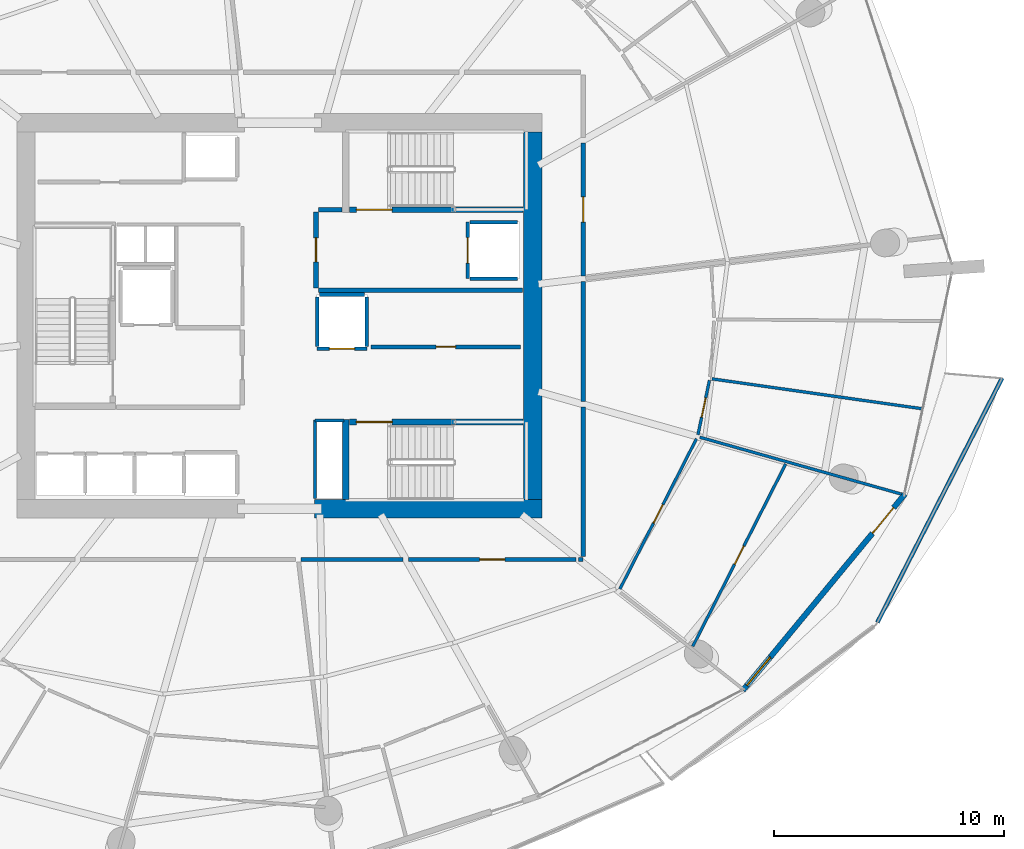
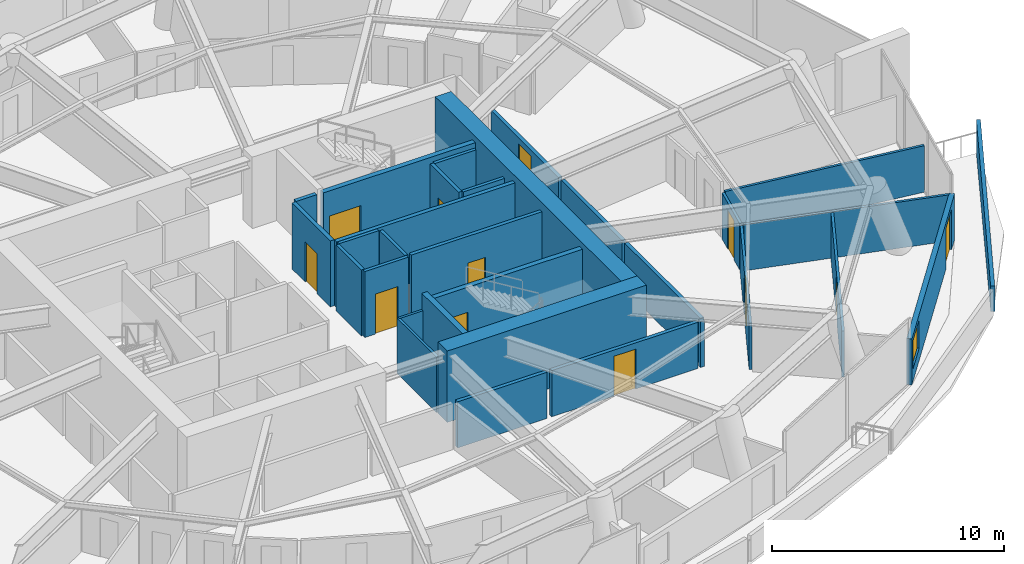
# One storey, part 13 of 23: 31 walls, 12 doors, 1 window, 13 openings.
"""IFC4 building model written with IfcOpenShell, lengths in metres."""

from ifc_helpers import new_model, si_unit, direction, frame, frame_2d, origin, place, context, subcontext, project, spatial, polyline, rectangle, outline, extrude, material, layer, layer_set, type_object, element, fill, save


model = new_model("IFC4")

# Units and contexts
model_context = context("Model", 3, precision=1e-05, world=origin(), true_north=direction((0.0, 1.0)))
body_context = subcontext(model_context, "Body", "Model", "MODEL_VIEW")
ifc_project = project(units=[si_unit("LENGTHUNIT", "METRE"), si_unit("AREAUNIT", "SQUARE_METRE"), si_unit("VOLUMEUNIT", "CUBIC_METRE"), si_unit("PLANEANGLEUNIT", "RADIAN"), si_unit("MASSUNIT", "GRAM", prefix="KILO")], contexts=[model_context])

# Site, building, storey
site_placement = place(None, origin())
site = spatial("IfcSite", under=ifc_project, at=site_placement, CompositionType="ELEMENT")
building_placement = place(site_placement, origin())
building = spatial("IfcBuilding", under=site, at=building_placement, Name="Kazma Halo Residences", CompositionType="ELEMENT")
storey_placement = place(building_placement, frame((0.0, 0.0, 112.64990234375)))
storey = spatial("IfcBuildingStorey", under=building, at=storey_placement, Name="L28", CompositionType="ELEMENT", Elevation=112.64990234375)

# Walls
ifc_material_1 = material(Name="White Concrete C50/60 Balustrade", Category="concrete")
ifc_layer_1 = layer(ifc_material_1, 0.179931640625)
ifc_layer_set_1 = layer_set([ifc_layer_1], Name="White Concrete C50/60 Balustrade")
wall_type_1 = type_object("IfcWallType", Name="WL-BAL-WAVE-180", PredefinedType="PARAPET", material=ifc_layer_set_1)
wall_1_placement = place(storey_placement, frame((74.44970703125, 28.657958984375, 0.0), z_axis=(0.0, 0.0, 1.0), x_axis=(0.454614998415, 0.890688050451, 0.0)))
element("IfcWall", 1, at=wall_1_placement, inside=storey, type_object=wall_type_1, Name="L28 white wave balustrade wall SE.2", PredefinedType="PARAPET", context=body_context, shape_type="SweptSolid", body=[
    extrude(outline(polyline([(0.0, 0.0), (11.9423828125, 0.0), (11.9423828125, 1.7470703125), (5.97119140625, 1.56201171875), (0.0, 1.34814453125), (0.0, 0.0)])), frame((0.0, 0.08984375, 0.0), z_axis=(0.0, -1.0, 0.0), x_axis=(1.0, 0.0, 0.0)), (0.0, 0.0, 1.0), 0.179931640625),
])
ifc_material_2 = material(Name="Concrete C80/95", Category="concrete")
ifc_layer_2 = layer(ifc_material_2, 0.800048828125)
ifc_layer_set_2 = layer_set([ifc_layer_2], Name="Concrete C80/95")
wall_type_2 = type_object("IfcWallType", Name="WL-CORE-800", PredefinedType="SHEAR", material=ifc_layer_set_2)
wall_2_placement = place(storey_placement, frame((49.949951171875, 33.60009765625, 0.0), z_axis=(0.0, 0.0, 1.0), x_axis=(1.0, 0.0, 0.0)))
element("IfcWall", 2, at=wall_2_placement, inside=storey, type_object=wall_type_2, Name="L28 central core shear wall SE", PredefinedType="SHEAR", context=body_context, shape_type="SweptSolid", body=[
    extrude(rectangle(XDim=9.900146484375, YDim=0.800048828125, at=frame_2d((4.9501953125, 0.0))), origin(), (0.0, 0.0, 1.0), 3.75),
])
wall_3_placement = place(storey_placement, frame((59.449951171875, 34.0, 0.0), z_axis=(0.0, 0.0, 1.0), x_axis=(0.0, 1.0, 0.0)))
element("IfcWall", 3, at=wall_3_placement, inside=storey, type_object=wall_type_2, Name="L28 central core shear wall E", PredefinedType="SHEAR", context=body_context, shape_type="SweptSolid", body=[
    extrude(rectangle(XDim=16.0, YDim=0.800048828125, at=frame_2d((8.0, 0.0))), origin(), (0.0, 0.0, 1.0), 3.75),
])
ifc_material_3 = material(Name="Concrete C60/75", Category="concrete")
ifc_layer_3 = layer(ifc_material_3, 0.280029296875)
ifc_layer_set_3 = layer_set([ifc_layer_3], Name="Concrete C60/75")
wall_type_3 = type_object("IfcWallType", Name="WL-CORE-ST-280", PredefinedType="SHEAR", material=ifc_layer_set_3)
wall_4_placement = place(storey_placement, frame((51.31005859375, 34.0, 0.0), z_axis=(0.0, 0.0, 1.0), x_axis=(0.0, 1.0, 0.0)))
element("IfcWall", 4, at=wall_4_placement, inside=storey, type_object=wall_type_3, Name="L28 stairwell bearing wall ST03-W", PredefinedType="SHEAR", context=body_context, shape_type="SweptSolid", body=[
    extrude(rectangle(XDim=3.5, YDim=0.280029296875, at=frame_2d((1.75, 0.0))), origin(), (0.0, 0.0, 1.0), 3.75),
])

# Wall, opening, door
ifc_material_4 = material(Name="Acoustic Twin-Stud Gypsum")
ifc_layer_4 = layer(ifc_material_4, 0.179931640625)
ifc_layer_set_4 = layer_set([ifc_layer_4], Name="Acoustic Twin-Stud Gypsum")
wall_type_4 = type_object("IfcWallType", Name="WL-DEM-180", PredefinedType="PARTITIONING", material=ifc_layer_set_4)
wall_5_placement = place(storey_placement, frame((54.056396484375, 31.39990234375, 0.0), z_axis=(0.0, 0.0, 1.0), x_axis=(1.0, 0.0, 0.0)))
wall_5 = element("IfcWall", 5, at=wall_5_placement, inside=storey, type_object=wall_type_4, Name="L28 Apartment 2 entrance corridor wall", PredefinedType="PARTITIONING", context=body_context, shape_type="SweptSolid", body=[
    extrude(rectangle(XDim=7.26953125, YDim=0.179931640625, at=frame_2d((3.634765625, 0.0))), origin(), (0.0, 0.0, 1.0), 2.427001953125),
])
opening_1_placement = place(wall_5_placement, frame((3.0849609375, 0.0, 0.0)))
opening_1 = element("IfcOpeningElement", 6, at=opening_1_placement, cuts=wall_5, Name="Opening DA-1100", PredefinedType="OPENING", context=body_context, shape_type="SweptSolid", body=[
    extrude(rectangle(XDim=1.10009765625, YDim=2.10009765625, at=frame_2d((0.550048828125, 1.050048828125))), frame((0.0, 0.099853515625, 0.0), z_axis=(0.0, -1.0, 0.0), x_axis=(1.0, 0.0, 0.0)), (0.0, 0.0, 1.0), 0.199951171875),
])
ifc_material_5 = material(Name="Acoustic Walnut Fire Leaf")
door_type_1 = type_object("IfcDoorType", Name="DR-FD60-1100", OperationType="NOTDEFINED", PredefinedType="DOOR", material=ifc_material_5)
door_1_placement = place(opening_1_placement, origin())
door_1 = element("IfcDoor", 7, at=door_1_placement, inside=storey, type_object=door_type_1, Name="L28 Apartment 2 entrance fire door", OperationType="SINGLE_SWING_LEFT", OverallHeight=2.10009765625, OverallWidth=1.10009765625, PredefinedType="DOOR", context=body_context, shape_type="SweptSolid", body=[
    extrude(rectangle(XDim=1.10009765625, YDim=2.10009765625, at=frame_2d((0.550048828125, 1.050048828125))), frame((0.0, 0.02490234375, 0.0), z_axis=(0.0, -1.0, 0.0), x_axis=(1.0, 0.0, 0.0)), (0.0, 0.0, 1.0), 0.050048828125),
])
fill(opening_1, door_1)

# Walls
wall_6_placement = place(storey_placement, frame((49.37451171875, 31.39990234375, 0.0), z_axis=(0.0, 0.0, 1.0), x_axis=(1.0, 0.0, 0.0)))
element("IfcWall", 8, at=wall_6_placement, inside=storey, type_object=wall_type_4, Name="L28 Apartment 2 inner wall 11", PredefinedType="PARTITIONING", context=body_context, shape_type="SweptSolid", body=[
    extrude(rectangle(XDim=4.44189453125, YDim=0.179931640625, at=frame_2d((2.220947265625, 0.0))), origin(), (0.0, 0.0, 1.0), 2.427001953125),
])
wall_7_placement = place(storey_placement, frame((61.446044921875, 31.39990234375, 0.0), z_axis=(0.0, 0.0, 1.0), x_axis=(1.0, 0.0, 0.0)))
element("IfcWall", 9, at=wall_7_placement, inside=storey, type_object=wall_type_4, Name="L28 Apartment 2 inner wall 13", PredefinedType="PARTITIONING", context=body_context, shape_type="SweptSolid", body=[
    extrude(rectangle(XDim=0.203857421875, YDim=0.179931640625, at=frame_2d((0.10205078125, 0.0))), origin(), (0.0, 0.0, 1.0), 2.427001953125),
])
wall_8_placement = place(storey_placement, frame((61.64990234375, 31.52001953125, 0.0), z_axis=(0.0, 0.0, 1.0), x_axis=(0.0, 1.0, 0.0)))
element("IfcWall", 10, at=wall_8_placement, inside=storey, type_object=wall_type_4, Name="L28 Apartment 2 inner wall 13", PredefinedType="PARTITIONING", context=body_context, shape_type="SweptSolid", body=[
    extrude(rectangle(XDim=6.51025390625, YDim=0.179931640625, at=frame_2d((3.255126953125, 0.0))), origin(), (0.0, 0.0, 1.0), 2.427001953125),
])
wall_9_placement = place(storey_placement, frame((61.64990234375, 38.270263671875, 0.0), z_axis=(0.0, 0.0, 1.0), x_axis=(0.0, 1.0, 0.0)))
element("IfcWall", 11, at=wall_9_placement, inside=storey, type_object=wall_type_4, Name="L28 Apartment 2 inner wall 14", PredefinedType="PARTITIONING", context=body_context, shape_type="SweptSolid", body=[
    extrude(rectangle(XDim=5.225341796875, YDim=0.179931640625, at=frame_2d((2.61279296875, 0.0))), origin(), (0.0, 0.0, 1.0), 2.427001953125),
])

# Wall, opening, door
wall_10_placement = place(storey_placement, frame((61.64990234375, 43.735595703125, 0.0), z_axis=(0.0, 0.0, 1.0), x_axis=(0.0, 1.0, 0.0)))
wall_10 = element("IfcWall", 12, at=wall_10_placement, inside=storey, type_object=wall_type_4, Name="L28 Apartment 3 entrance corridor wall", PredefinedType="PARTITIONING", context=body_context, shape_type="SweptSolid", body=[
    extrude(rectangle(XDim=5.788818359375, YDim=0.179931640625, at=frame_2d((2.89453125, 0.0))), origin(), (0.0, 0.0, 1.0), 2.427001953125),
])
opening_2_placement = place(wall_10_placement, frame((2.344482421875, 0.0, 0.0)))
opening_2 = element("IfcOpeningElement", 13, at=opening_2_placement, cuts=wall_10, Name="Opening DA-1100", PredefinedType="OPENING", context=body_context, shape_type="SweptSolid", body=[
    extrude(rectangle(XDim=1.10009765625, YDim=2.10009765625, at=frame_2d((0.550048828125, 1.050048828125))), frame((0.0, 0.099853515625, 0.0), z_axis=(0.0, -1.0, 0.0), x_axis=(1.0, 0.0, 0.0)), (0.0, 0.0, 1.0), 0.199951171875),
])
door_2_placement = place(opening_2_placement, origin())
door_2 = element("IfcDoor", 14, at=door_2_placement, inside=storey, type_object=door_type_1, Name="L28 Apartment 3 entrance fire door", OperationType="SINGLE_SWING_RIGHT", OverallHeight=2.10009765625, OverallWidth=1.10009765625, PredefinedType="DOOR", context=body_context, shape_type="SweptSolid", body=[
    extrude(rectangle(XDim=1.10009765625, YDim=2.10009765625, at=frame_2d((0.550048828125, 1.050048828125))), frame((0.0, 0.02490234375, 0.0), z_axis=(0.0, -1.0, 0.0), x_axis=(1.0, 0.0, 0.0)), (0.0, 0.0, 1.0), 0.050048828125),
])
fill(opening_2, door_2)

# Wall, openings, door, window
ifc_material_6 = material(Name="Insulated Pale-Metal Composite Wall")
ifc_layer_5 = layer(ifc_material_6, 0.239990234375)
ifc_layer_set_5 = layer_set([ifc_layer_5], Name="Insulated Pale-Metal Composite Wall")
wall_type_5 = type_object("IfcWallType", Name="WL-EXT-HOST-240", PredefinedType="SOLIDWALL", material=ifc_layer_set_5)
wall_11_placement = place(storey_placement, frame((68.593017578125, 25.7021484375, 0.0), z_axis=(0.0, 0.0, 1.0), x_axis=(0.636704975, 0.771107498868, 0.0)))
wall_11 = element("IfcWall", 15, at=wall_11_placement, inside=storey, type_object=wall_type_5, Name="L28 exterior terrace-access wall B14", PredefinedType="SOLIDWALL", context=body_context, shape_type="SweptSolid", body=[
    extrude(rectangle(XDim=11.084228515625, YDim=0.239990234375, at=frame_2d((5.5419921875, 0.0))), origin(), (0.0, 0.0, 1.0), 2.420166015625),
])
opening_3_placement = place(wall_11_placement, frame((8.8642578125, 0.0, 0.0)))
opening_3 = element("IfcOpeningElement", 16, at=opening_3_placement, cuts=wall_11, Name="Opening DTR-1600", PredefinedType="OPENING", context=body_context, shape_type="SweptSolid", body=[
    extrude(rectangle(XDim=1.449951171875, YDim=2.14990234375, at=frame_2d((0.72509765625, 1.074951171875))), frame((0.0, 0.1298828125, 0.0), z_axis=(0.0, -1.0, 0.0), x_axis=(1.0, 0.0, 0.0)), (0.0, 0.0, 1.0), 0.260009765625),
])
opening_4_placement = place(wall_11_placement, frame((0.280029296875, 0.0, 0.64990234375)))
opening_4 = element("IfcOpeningElement", 17, at=opening_4_placement, cuts=wall_11, Name="Opening W-1800", PredefinedType="OPENING", context=body_context, shape_type="SweptSolid", body=[
    extrude(rectangle(XDim=1.60009765625, YDim=1.5, at=frame_2d((0.800048828125, 0.75))), frame((0.0, 0.1298828125, 0.0), z_axis=(0.0, -1.0, 0.0), x_axis=(1.0, 0.0, 0.0)), (0.0, 0.0, 1.0), 0.260009765625),
])
ifc_material_7 = material(Name="Aluminium AW-6063 T6 Double-Glazed Terrace Door", Category="aluminium")
door_type_2 = type_object("IfcDoorType", Name="DR-EXT-TERR-1600", OperationType="NOTDEFINED", PredefinedType="DOOR", material=ifc_material_7)
door_3_placement = place(opening_3_placement, origin())
door_3 = element("IfcDoor", 18, at=door_3_placement, inside=storey, type_object=door_type_2, Name="L28 B14 balcony terrace door", OperationType="DOUBLE_DOOR_SLIDING", OverallHeight=2.14990234375, OverallWidth=1.449951171875, PredefinedType="DOOR", context=body_context, shape_type="SweptSolid", body=[
    extrude(rectangle(XDim=1.449951171875, YDim=2.14990234375, at=frame_2d((0.72509765625, 1.074951171875))), frame((0.0, 0.02490234375, 0.0), z_axis=(0.0, -1.0, 0.0), x_axis=(1.0, 0.0, 0.0)), (0.0, 0.0, 1.0), 0.050048828125),
])
fill(opening_3, door_3)
ifc_material_8 = material(Name="Clear Triple-Silver Low-E Glass in Aluminium AW-6063 T6 Frame", Category="aluminium")
window_type = type_object("IfcWindowType", Name="WIN-RES-1800", PartitioningType="DOUBLE_PANEL_VERTICAL", PredefinedType="WINDOW", material=ifc_material_8)
window_placement = place(opening_4_placement, origin())
window = element("IfcWindow", 19, at=window_placement, inside=storey, type_object=window_type, Name="L28 B14 apartment window", OverallHeight=1.5, OverallWidth=1.60009765625, PartitioningType="SINGLE_PANEL", PredefinedType="WINDOW", context=body_context, shape_type="SweptSolid", body=[
    extrude(rectangle(XDim=1.60009765625, YDim=1.5, at=frame_2d((0.800048828125, 0.75))), frame((0.0, 0.030029296875, 0.0), z_axis=(0.0, -1.0, 0.0), x_axis=(1.0, 0.0, 0.0)), (0.0, 0.0, 1.0), 0.06005859375),
])
fill(opening_4, window)

# Wall, opening, door
ifc_material_9 = material(Name="Fire-Rated Blockwork Masonry", Category="masonry")
ifc_layer_6 = layer(ifc_material_9, 0.199951171875)
ifc_layer_set_6 = layer_set([ifc_layer_6], Name="Fire-Rated Blockwork Masonry")
wall_type_6 = type_object("IfcWallType", Name="WL-FLB-200", PredefinedType="PARTITIONING", material=ifc_layer_set_6)
wall_12_placement = place(storey_placement, frame((56.6201171875, 46.080078125, 0.0), z_axis=(0.0, 0.0, 1.0), x_axis=(0.0, -1.0, 0.0)))
wall_12 = element("IfcWall", 20, at=wall_12_placement, inside=storey, type_object=wall_type_6, Name="L28 lift shaft FL-02 front wall", PredefinedType="PARTITIONING", context=body_context, shape_type="SweptSolid", body=[
    extrude(rectangle(XDim=2.4599609375, YDim=0.159912109375, at=frame_2d((1.22998046875, 0.0))), origin(), (0.0, 0.0, 1.0), 3.47021484375),
])
opening_5_placement = place(wall_12_placement, frame((0.679931640625, 0.0, 0.0)))
opening_5 = element("IfcOpeningElement", 21, at=opening_5_placement, cuts=wall_12, Name="Opening LD-FL-02", PredefinedType="OPENING", context=body_context, shape_type="SweptSolid", body=[
    extrude(rectangle(XDim=1.10009765625, YDim=2.10009765625, at=frame_2d((0.550048828125, 1.050048828125))), frame((0.0, 0.08984375, 0.0), z_axis=(0.0, -1.0, 0.0), x_axis=(1.0, 0.0, 0.0)), (0.0, 0.0, 1.0), 0.179931640625),
])
ifc_material_10 = material(Name="Stainless Steel Fire-Rated", Category="steel")
door_type_3 = type_object("IfcDoorType", Name="DR-LIFT-SLD-1100", OperationType="DOUBLE_DOOR_SLIDING", PredefinedType="DOOR", material=ifc_material_10)
door_4_placement = place(opening_5_placement, origin())
door_4 = element("IfcDoor", 22, at=door_4_placement, inside=storey, type_object=door_type_3, Name="L28 lift FL-02 sliding landing door", OperationType="DOUBLE_DOOR_SLIDING", OverallHeight=2.10009765625, OverallWidth=1.10009765625, PredefinedType="DOOR", context=body_context, shape_type="SweptSolid", body=[
    extrude(rectangle(XDim=1.10009765625, YDim=2.10009765625, at=frame_2d((0.550048828125, 1.050048828125))), frame((0.0, 0.02490234375, 0.0), z_axis=(0.0, -1.0, 0.0), x_axis=(1.0, 0.0, 0.0)), (0.0, 0.0, 1.0), 0.050048828125),
])
fill(opening_5, door_4)

# Walls
for number, where, z_axis, x_axis, name in (
    (23, (56.719970703125, 46.080078125, 0.0), (0.0, 0.0, 1.0), (1.0, 0.0, 0.0), "L28 lift shaft FL-02 side wall N"),
    (24, (56.719970703125, 43.6201171875, 0.0), (0.0, 0.0, 1.0), (1.0, 0.0, 0.0), "L28 lift shaft FL-02 side wall S"),
):
    element("IfcWall", number, at=place(storey_placement, frame(where, z_axis=z_axis, x_axis=x_axis)), inside=storey, type_object=wall_type_6, Name=name, PredefinedType="PARTITIONING", context=body_context, shape_type="SweptSolid", body=[
        extrude(rectangle(XDim=2.06005859375, YDim=0.159912109375, at=frame_2d((1.030029296875, 0.0))), origin(), (0.0, 0.0, 1.0), 3.47021484375),
    ])

# Wall, opening, door
wall_13_placement = place(storey_placement, frame((52.22998046875, 40.570068359375, 0.0), z_axis=(0.0, 0.0, 1.0), x_axis=(-1.0, 0.0, 0.0)))
wall_13 = element("IfcWall", 25, at=wall_13_placement, inside=storey, type_object=wall_type_6, Name="L28 lift shaft SV-01 front wall", PredefinedType="PARTITIONING", context=body_context, shape_type="SweptSolid", body=[
    extrude(rectangle(XDim=2.159912109375, YDim=0.159912109375, at=frame_2d((1.080078125, 0.0))), origin(), (0.0, 0.0, 1.0), 3.47021484375),
])
opening_6_placement = place(wall_13_placement, frame((0.530029296875, 0.0, 0.0)))
opening_6 = element("IfcOpeningElement", 26, at=opening_6_placement, cuts=wall_13, Name="Opening LD-SV-01", PredefinedType="OPENING", context=body_context, shape_type="SweptSolid", body=[
    extrude(rectangle(XDim=1.10009765625, YDim=2.10009765625, at=frame_2d((0.550048828125, 1.050048828125))), frame((0.0, 0.08984375, 0.0), z_axis=(0.0, -1.0, 0.0), x_axis=(1.0, 0.0, 0.0)), (0.0, 0.0, 1.0), 0.179931640625),
])
door_5_placement = place(opening_6_placement, origin())
door_5 = element("IfcDoor", 27, at=door_5_placement, inside=storey, type_object=door_type_3, Name="L28 lift SV-01 sliding landing door", OperationType="DOUBLE_DOOR_SLIDING", OverallHeight=2.10009765625, OverallWidth=1.10009765625, PredefinedType="DOOR", context=body_context, shape_type="SweptSolid", body=[
    extrude(rectangle(XDim=1.10009765625, YDim=2.10009765625, at=frame_2d((0.550048828125, 1.050048828125))), frame((0.0, 0.02490234375, 0.0), z_axis=(0.0, -1.0, 0.0), x_axis=(1.0, 0.0, 0.0)), (0.0, 0.0, 1.0), 0.050048828125),
])
fill(opening_6, door_5)

# Walls
for number, where, z_axis, x_axis, name in (
    (28, (52.22998046875, 40.669921875, 0.0), (0.0, 0.0, 1.0), (0.0, 1.0, 0.0), "L28 lift shaft SV-01 side wall E"),
    (29, (50.070068359375, 40.669921875, 0.0), (0.0, 0.0, 1.0), (0.0, 1.0, 0.0), "L28 lift shaft SV-01 side wall W"),
):
    element("IfcWall", number, at=place(storey_placement, frame(where, z_axis=z_axis, x_axis=x_axis)), inside=storey, type_object=wall_type_6, Name=name, PredefinedType="PARTITIONING", context=body_context, shape_type="SweptSolid", body=[
        extrude(rectangle(XDim=2.16015625, YDim=0.159912109375, at=frame_2d((1.080078125, 0.0))), origin(), (0.0, 0.0, 1.0), 3.47021484375),
    ])
wall_14_placement = place(storey_placement, frame((50.169921875, 42.929931640625, 0.0), z_axis=(0.0, 0.0, 1.0), x_axis=(1.0, 0.0, 0.0)))
element("IfcWall", 30, at=wall_14_placement, inside=storey, type_object=wall_type_6, Name="L28 lift shaft SV-01 side wall N", PredefinedType="PARTITIONING", context=body_context, shape_type="SweptSolid", body=[
    extrude(rectangle(XDim=1.9599609375, YDim=0.159912109375, at=frame_2d((0.97998046875, 0.0))), origin(), (0.0, 0.0, 1.0), 3.47021484375),
])

# Wall, opening, door
wall_15_placement = place(storey_placement, frame((52.419921875, 40.64990234375, 0.0), z_axis=(0.0, 0.0, 1.0), x_axis=(1.0, 0.0, 0.0)))
wall_15 = element("IfcWall", 31, at=wall_15_placement, inside=storey, type_object=wall_type_6, Name="L28 core east reserve wall", PredefinedType="PARTITIONING", context=body_context, shape_type="SweptSolid", body=[
    extrude(rectangle(XDim=6.5, YDim=0.179931640625, at=frame_2d((3.25, 0.0))), origin(), (0.0, 0.0, 1.0), 3.47021484375),
])
opening_7_placement = place(wall_15_placement, frame((2.824951171875, 0.0, 0.0)))
opening_7 = element("IfcOpeningElement", 32, at=opening_7_placement, cuts=wall_15, Name="Opening DS-850", PredefinedType="OPENING", context=body_context, shape_type="SweptSolid", body=[
    extrude(rectangle(XDim=0.85009765625, YDim=2.06005859375, at=frame_2d((0.425048828125, 1.030029296875))), frame((0.0, 0.099853515625, 0.0), z_axis=(0.0, -1.0, 0.0), x_axis=(1.0, 0.0, 0.0)), (0.0, 0.0, 1.0), 0.199951171875),
])
ifc_material_11 = material(Name="Painted Steel Access Leaf", Category="steel")
door_type_4 = type_object("IfcDoorType", Name="DR-SVC-850", OperationType="NOTDEFINED", PredefinedType="DOOR", material=ifc_material_11)
door_6_placement = place(opening_7_placement, origin())
door_6 = element("IfcDoor", 33, at=door_6_placement, inside=storey, type_object=door_type_4, Name="L28 core east reserve door", OperationType="SINGLE_SWING_LEFT", OverallHeight=2.06005859375, OverallWidth=0.85009765625, PredefinedType="DOOR", context=body_context, shape_type="SweptSolid", body=[
    extrude(rectangle(XDim=0.85009765625, YDim=2.06005859375, at=frame_2d((0.425048828125, 1.030029296875))), frame((0.0, 0.02490234375, 0.0), z_axis=(0.0, -1.0, 0.0), x_axis=(1.0, 0.0, 0.0)), (0.0, 0.0, 1.0), 0.050048828125),
])
fill(opening_7, door_6)

# Walls
wall_16_placement = place(storey_placement, frame((50.1201171875, 43.1201171875, 0.0), z_axis=(0.0, 0.0, 1.0), x_axis=(1.0, 0.0, 0.0)))
element("IfcWall", 34, at=wall_16_placement, inside=storey, type_object=wall_type_6, Name="L28 east firefighting lobby south smoke wall", PredefinedType="PARTITIONING", context=body_context, shape_type="SweptSolid", body=[
    extrude(rectangle(XDim=8.8798828125, YDim=0.199951171875, at=frame_2d((4.43994140625, 0.0))), origin(), (0.0, 0.0, 1.0), 3.47021484375),
])
wall_17_placement = place(storey_placement, frame((50.139892578125, 46.6201171875, 0.0), z_axis=(0.0, 0.0, 1.0), x_axis=(1.0, 0.0, 0.0)))
element("IfcWall", 35, at=wall_17_placement, inside=storey, type_object=wall_type_6, Name="L28 east firefighting lobby north closure wall", PredefinedType="PARTITIONING", context=body_context, shape_type="SweptSolid", body=[
    extrude(rectangle(XDim=1.02001953125, YDim=0.199951171875, at=frame_2d((0.510009765625, 0.0))), origin(), (0.0, 0.0, 1.0), 3.47021484375),
])

# Wall, opening, door
wall_18_placement = place(storey_placement, frame((50.02001953125, 43.219970703125, 0.0), z_axis=(0.0, 0.0, 1.0), x_axis=(0.0, 1.0, 0.0)))
wall_18 = element("IfcWall", 36, at=wall_18_placement, inside=storey, type_object=wall_type_6, Name="L28 east firefighting lobby smoke wall", PredefinedType="PARTITIONING", context=body_context, shape_type="SweptSolid", body=[
    extrude(rectangle(XDim=3.300048828125, YDim=0.199951171875, at=frame_2d((1.64990234375, 0.0))), origin(), (0.0, 0.0, 1.0), 3.47021484375),
])
opening_8_placement = place(wall_18_placement, frame((1.125, 0.0, 0.0)))
opening_8 = element("IfcOpeningElement", 37, at=opening_8_placement, cuts=wall_18, Name="Opening D-FLE", PredefinedType="OPENING", context=body_context, shape_type="SweptSolid", body=[
    extrude(rectangle(XDim=1.050048828125, YDim=2.10009765625, at=frame_2d((0.52490234375, 1.050048828125))), frame((0.0, 0.10986328125, 0.0), z_axis=(0.0, -1.0, 0.0), x_axis=(1.0, 0.0, 0.0)), (0.0, 0.0, 1.0), 0.219970703125),
])
ifc_material_12 = material(Name="Fire-Rated Steel Leaf", Category="steel")
door_type_5 = type_object("IfcDoorType", Name="DR-FD90-1050", OperationType="NOTDEFINED", PredefinedType="DOOR", material=ifc_material_12)
door_7_placement = place(opening_8_placement, origin())
door_7 = element("IfcDoor", 38, at=door_7_placement, inside=storey, type_object=door_type_5, Name="L28 east firefighting lobby smoke door", OperationType="SINGLE_SWING_RIGHT", OverallHeight=2.10009765625, OverallWidth=1.050048828125, PredefinedType="DOOR", context=body_context, shape_type="SweptSolid", body=[
    extrude(rectangle(XDim=1.050048828125, YDim=2.10009765625, at=frame_2d((0.52490234375, 1.050048828125))), frame((0.0, 0.02490234375, 0.0), z_axis=(0.0, -1.0, 0.0), x_axis=(1.0, 0.0, 0.0)), (0.0, 0.0, 1.0), 0.050048828125),
])
fill(opening_8, door_7)

# Walls
ifc_material_13 = material(Name="Gypsum Plasterboard Partition")
ifc_layer_7 = layer(ifc_material_13, 0.125)
ifc_layer_set_7 = layer_set([ifc_layer_7], Name="Gypsum Plasterboard Partition")
wall_type_7 = type_object("IfcWallType", Name="WL-PART-125", PredefinedType="PARTITIONING", material=ifc_layer_set_7)
wall_19_placement = place(storey_placement, frame((49.97998046875, 34.06005859375, 0.0), z_axis=(0.0, 0.0, 1.0), x_axis=(0.0, 1.0, 0.0)))
element("IfcWall", 39, at=wall_19_placement, inside=storey, type_object=wall_type_7, Name="L28 standpipe riser wall", PredefinedType="PARTITIONING", context=body_context, shape_type="SweptSolid", body=[
    extrude(rectangle(XDim=3.39990234375, YDim=0.125, at=frame_2d((1.699951171875, 0.0))), origin(), (0.0, 0.0, 1.0), 2.91015625),
])
wall_20_placement = place(storey_placement, frame((49.97998046875, 37.43994140625, 0.0), z_axis=(0.0, 0.0, 1.0), x_axis=(1.0, 0.0, 0.0)))
element("IfcWall", 40, at=wall_20_placement, inside=storey, type_object=wall_type_7, Name="L28 standpipe riser north wall", PredefinedType="PARTITIONING", context=body_context, shape_type="SweptSolid", body=[
    extrude(rectangle(XDim=1.260009765625, YDim=0.125, at=frame_2d((0.6298828125, 0.0))), origin(), (0.0, 0.0, 1.0), 2.91015625),
])

# Wall, opening, door
wall_21_placement = place(storey_placement, frame((63.247314453125, 30.1171875, 0.0), z_axis=(0.0, 0.0, 1.0), x_axis=(0.453981156247, 0.891011284874, 0.0)))
wall_21 = element("IfcWall", 41, at=wall_21_placement, inside=storey, type_object=wall_type_7, Name="L28 Apartment 2 East Study hall wall", PredefinedType="PARTITIONING", context=body_context, shape_type="SweptSolid", body=[
    extrude(rectangle(XDim=7.3310546875, YDim=0.125, at=frame_2d((3.66552734375, 0.0))), origin(), (0.0, 0.0, 1.0), 2.427001953125),
])
opening_9_placement = place(wall_21_placement, frame((3.21533203125, 0.0, 0.0)))
opening_9 = element("IfcOpeningElement", 42, at=opening_9_placement, cuts=wall_21, Name="Opening DI-950", PredefinedType="OPENING", context=body_context, shape_type="SweptSolid", body=[
    extrude(rectangle(XDim=0.89990234375, YDim=2.080078125, at=frame_2d((0.449951171875, 1.0400390625))), frame((0.0, 0.072509765625, 0.0), z_axis=(0.0, -1.0, 0.0), x_axis=(1.0, 0.0, 0.0)), (0.0, 0.0, 1.0), 0.14501953125),
])
ifc_material_14 = material(Name="Timber Veneer Flush Leaf", Category="wood")
door_type_6 = type_object("IfcDoorType", Name="DR-INT-950", OperationType="NOTDEFINED", PredefinedType="DOOR", material=ifc_material_14)
door_8_placement = place(opening_9_placement, origin())
door_8 = element("IfcDoor", 43, at=door_8_placement, inside=storey, type_object=door_type_6, Name="L28 Apartment 2 East Study door", OperationType="SINGLE_SWING_RIGHT", OverallHeight=2.080078125, OverallWidth=0.89990234375, PredefinedType="DOOR", context=body_context, shape_type="SweptSolid", body=[
    extrude(rectangle(XDim=0.89990234375, YDim=2.080078125, at=frame_2d((0.449951171875, 1.0400390625))), frame((0.0, 0.02490234375, 0.0), z_axis=(0.0, -1.0, 0.0), x_axis=(1.0, 0.0, 0.0)), (0.0, 0.0, 1.0), 0.050048828125),
])
fill(opening_9, door_8)

wall_22_placement = place(storey_placement, frame((66.416015625, 27.619140625, 0.0), z_axis=(0.0, 0.0, 1.0), x_axis=(0.453999703912, 0.891001834368, 0.0)))
wall_22 = element("IfcWall", 44, at=wall_22_placement, inside=storey, type_object=wall_type_7, Name="L28 Apartment 2 West Master Bedroom divider wall", PredefinedType="PARTITIONING", context=body_context, shape_type="SweptSolid", body=[
    extrude(rectangle(XDim=8.9052734375, YDim=0.125, at=frame_2d((4.45263671875, 0.0))), origin(), (0.0, 0.0, 1.0), 2.427001953125),
])
opening_10_placement = place(wall_22_placement, frame((4.002685546875, 0.0, 0.0)))
opening_10 = element("IfcOpeningElement", 45, at=opening_10_placement, cuts=wall_22, Name="Opening DI-950", PredefinedType="OPENING", context=body_context, shape_type="SweptSolid", body=[
    extrude(rectangle(XDim=0.89990234375, YDim=2.080078125, at=frame_2d((0.449951171875, 1.0400390625))), frame((0.0, 0.072509765625, 0.0), z_axis=(0.0, -1.0, 0.0), x_axis=(1.0, 0.0, 0.0)), (0.0, 0.0, 1.0), 0.14501953125),
])
door_9_placement = place(opening_10_placement, origin())
door_9 = element("IfcDoor", 46, at=door_9_placement, inside=storey, type_object=door_type_6, Name="L28 Apartment 2 West Master Bedroom door", OperationType="SINGLE_SWING_LEFT", OverallHeight=2.080078125, OverallWidth=0.89990234375, PredefinedType="DOOR", context=body_context, shape_type="SweptSolid", body=[
    extrude(rectangle(XDim=0.89990234375, YDim=2.080078125, at=frame_2d((0.449951171875, 1.0400390625))), frame((0.0, 0.02490234375, 0.0), z_axis=(0.0, -1.0, 0.0), x_axis=(1.0, 0.0, 0.0)), (0.0, 0.0, 1.0), 0.050048828125),
])
fill(opening_10, door_9)

# Walls
wall_23_placement = place(storey_placement, frame((66.7216796875, 36.719970703125, 0.0), z_axis=(0.0, 0.0, 1.0), x_axis=(0.962452904299, -0.271448718926, 0.0)))
element("IfcWall", 47, at=wall_23_placement, inside=storey, type_object=wall_type_7, Name="L28 Apartment 2 radial partition 14", PredefinedType="PARTITIONING", context=body_context, shape_type="SweptSolid", body=[
    extrude(rectangle(XDim=9.118896484375, YDim=0.125, at=frame_2d((4.5595703125, 0.0))), origin(), (0.0, 0.0, 1.0), 2.427001953125),
])
wall_24_placement = place(storey_placement, frame((67.248046875, 39.260498046875, 0.0), z_axis=(0.0, 0.0, 1.0), x_axis=(0.990024386201, -0.140896113244, 0.0)))
element("IfcWall", 48, at=wall_24_placement, inside=storey, type_object=wall_type_7, Name="L28 Apartment 2 bay wall 1 14", PredefinedType="PARTITIONING", context=body_context, shape_type="SweptSolid", body=[
    extrude(rectangle(XDim=9.240966796875, YDim=0.125, at=frame_2d((4.62060546875, 0.0))), origin(), (0.0, 0.0, 1.0), 2.445068359375),
])

# Wall, opening, door
wall_25_placement = place(storey_placement, frame((66.641845703125, 36.825439453125, 0.0), z_axis=(0.0, 0.0, 1.0), x_axis=(0.206650563061, 0.978414812228, 0.0)))
wall_25 = element("IfcWall", 49, at=wall_25_placement, inside=storey, type_object=wall_type_7, Name="L28 Apartment 2 North Bedroom hall wall", PredefinedType="PARTITIONING", context=body_context, shape_type="SweptSolid", body=[
    extrude(rectangle(XDim=2.421875, YDim=0.125, at=frame_2d((1.2109375, 0.0))), origin(), (0.0, 0.0, 1.0), 2.427001953125),
])
opening_11_placement = place(wall_25_placement, frame((0.785888671875, 0.0, 0.0)))
opening_11 = element("IfcOpeningElement", 50, at=opening_11_placement, cuts=wall_25, Name="Opening DB-900", PredefinedType="OPENING", context=body_context, shape_type="SweptSolid", body=[
    extrude(rectangle(XDim=0.85009765625, YDim=2.06005859375, at=frame_2d((0.425048828125, 1.030029296875))), frame((0.0, 0.072509765625, 0.0), z_axis=(0.0, -1.0, 0.0), x_axis=(1.0, 0.0, 0.0)), (0.0, 0.0, 1.0), 0.14501953125),
])
ifc_material_15 = material(Name="Moisture-Sealed Timber Leaf", Category="wood")
door_type_7 = type_object("IfcDoorType", Name="DR-BTH-900", OperationType="NOTDEFINED", PredefinedType="DOOR", material=ifc_material_15)
door_10_placement = place(opening_11_placement, origin())
door_10 = element("IfcDoor", 51, at=door_10_placement, inside=storey, type_object=door_type_7, Name="L28 Apartment 2 North Bedroom door", OperationType="SINGLE_SWING_RIGHT", OverallHeight=2.06005859375, OverallWidth=0.85009765625, PredefinedType="DOOR", context=body_context, shape_type="SweptSolid", body=[
    extrude(rectangle(XDim=0.85009765625, YDim=2.06005859375, at=frame_2d((0.425048828125, 1.030029296875))), frame((0.0, 0.02490234375, 0.0), z_axis=(0.0, -1.0, 0.0), x_axis=(1.0, 0.0, 0.0)), (0.0, 0.0, 1.0), 0.050048828125),
])
fill(opening_11, door_10)

ifc_material_16 = material(Name="Concrete C50/60", Category="concrete")
ifc_layer_8 = layer(ifc_material_16, 0.25)
ifc_layer_set_8 = layer_set([ifc_layer_8], Name="Concrete C50/60")
wall_type_8 = type_object("IfcWallType", Name="WL-SHF-250", PredefinedType="SOLIDWALL", material=ifc_layer_set_8)
wall_26_placement = place(storey_placement, frame((51.47998046875, 46.6201171875, 0.0), z_axis=(0.0, 0.0, 1.0), x_axis=(1.0, 0.0, 0.0)))
wall_26 = element("IfcWall", 52, at=wall_26_placement, inside=storey, type_object=wall_type_8, Name="L28 exit stair ST-02 enclosure wall", PredefinedType="SOLIDWALL", context=body_context, shape_type="SweptSolid", body=[
    extrude(rectangle(XDim=7.5400390625, YDim=0.25, at=frame_2d((3.77001953125, 0.0))), origin(), (0.0, 0.0, 1.0), 3.47021484375),
])
opening_12_placement = place(wall_26_placement, frame((0.300048828125, 0.0, 0.0)))
opening_12 = element("IfcOpeningElement", 53, at=opening_12_placement, cuts=wall_26, Name="Opening D-ST2", PredefinedType="OPENING", context=body_context, shape_type="SweptSolid", body=[
    extrude(rectangle(XDim=1.550048828125, YDim=2.14990234375, at=frame_2d((0.77490234375, 1.074951171875))), frame((0.0, 0.135009765625, 0.0), z_axis=(0.0, -1.0, 0.0), x_axis=(1.0, 0.0, 0.0)), (0.0, 0.0, 1.0), 0.27001953125),
])
ifc_material_17 = material(Name="Fire-Rated Double Steel Leaf", Category="steel")
door_type_8 = type_object("IfcDoorType", Name="DR-FD90-1550", OperationType="NOTDEFINED", PredefinedType="DOOR", material=ifc_material_17)
door_11_placement = place(opening_12_placement, origin())
door_11 = element("IfcDoor", 54, at=door_11_placement, inside=storey, type_object=door_type_8, Name="L28 exit stair ST-02 fire door", OperationType="DOUBLE_DOOR_SINGLE_SWING", OverallHeight=2.14990234375, OverallWidth=1.550048828125, PredefinedType="DOOR", context=body_context, shape_type="SweptSolid", body=[
    extrude(rectangle(XDim=1.550048828125, YDim=2.14990234375, at=frame_2d((0.77490234375, 1.074951171875))), frame((0.0, 0.02490234375, 0.0), z_axis=(0.0, -1.0, 0.0), x_axis=(1.0, 0.0, 0.0)), (0.0, 0.0, 1.0), 0.050048828125),
])
fill(opening_12, door_11)

wall_27_placement = place(storey_placement, frame((51.47998046875, 37.3798828125, 0.0), z_axis=(0.0, 0.0, 1.0), x_axis=(1.0, 0.0, 0.0)))
wall_27 = element("IfcWall", 55, at=wall_27_placement, inside=storey, type_object=wall_type_8, Name="L28 exit stair ST-03 enclosure wall", PredefinedType="SOLIDWALL", context=body_context, shape_type="SweptSolid", body=[
    extrude(rectangle(XDim=7.5400390625, YDim=0.25, at=frame_2d((3.77001953125, 0.0))), origin(), (0.0, 0.0, 1.0), 3.47021484375),
])
opening_13_placement = place(wall_27_placement, frame((0.300048828125, 0.0, 0.0)))
opening_13 = element("IfcOpeningElement", 56, at=opening_13_placement, cuts=wall_27, Name="Opening D-ST3", PredefinedType="OPENING", context=body_context, shape_type="SweptSolid", body=[
    extrude(rectangle(XDim=1.550048828125, YDim=2.14990234375, at=frame_2d((0.77490234375, 1.074951171875))), frame((0.0, 0.135009765625, 0.0), z_axis=(0.0, -1.0, 0.0), x_axis=(1.0, 0.0, 0.0)), (0.0, 0.0, 1.0), 0.27001953125),
])
door_12_placement = place(opening_13_placement, origin())
door_12 = element("IfcDoor", 57, at=door_12_placement, inside=storey, type_object=door_type_8, Name="L28 exit stair ST-03 fire door", OperationType="DOUBLE_DOOR_SINGLE_SWING", OverallHeight=2.14990234375, OverallWidth=1.550048828125, PredefinedType="DOOR", context=body_context, shape_type="SweptSolid", body=[
    extrude(rectangle(XDim=1.550048828125, YDim=2.14990234375, at=frame_2d((0.77490234375, 1.074951171875))), frame((0.0, 0.02490234375, 0.0), z_axis=(0.0, -1.0, 0.0), x_axis=(1.0, 0.0, 0.0)), (0.0, 0.0, 1.0), 0.050048828125),
])
fill(opening_13, door_12)

save(model, "model.ifc")
